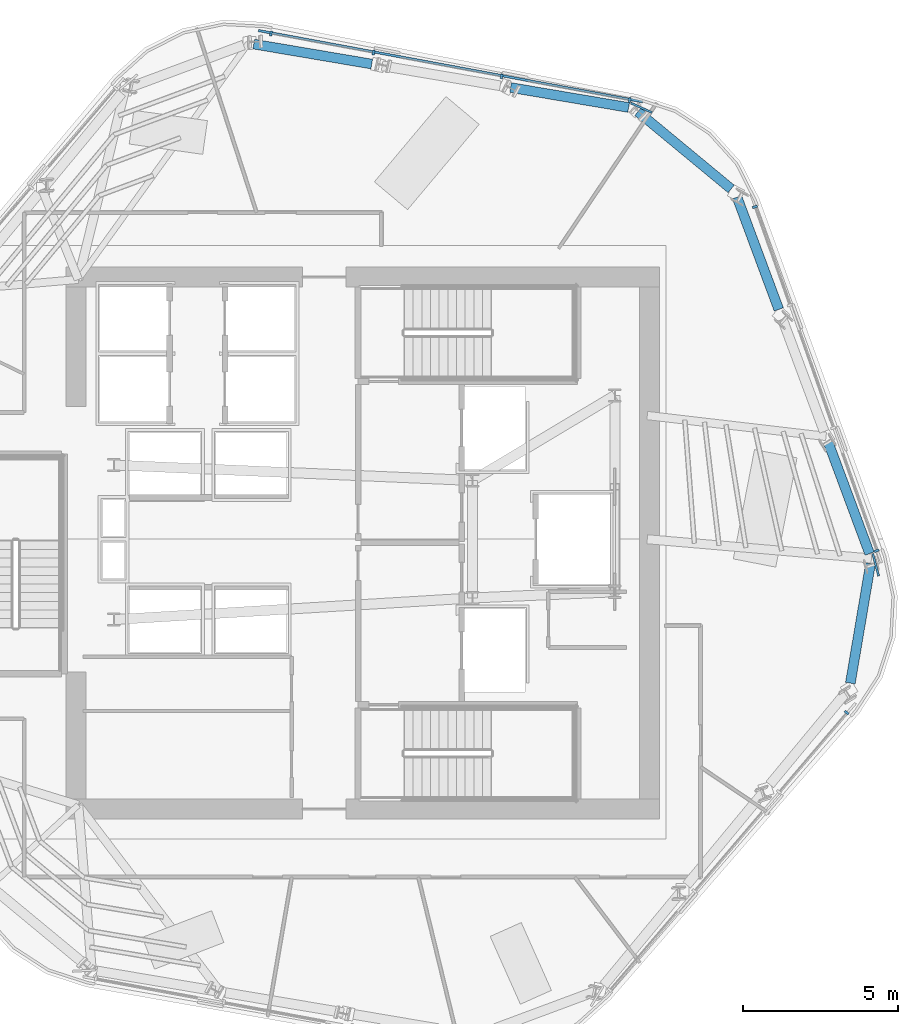
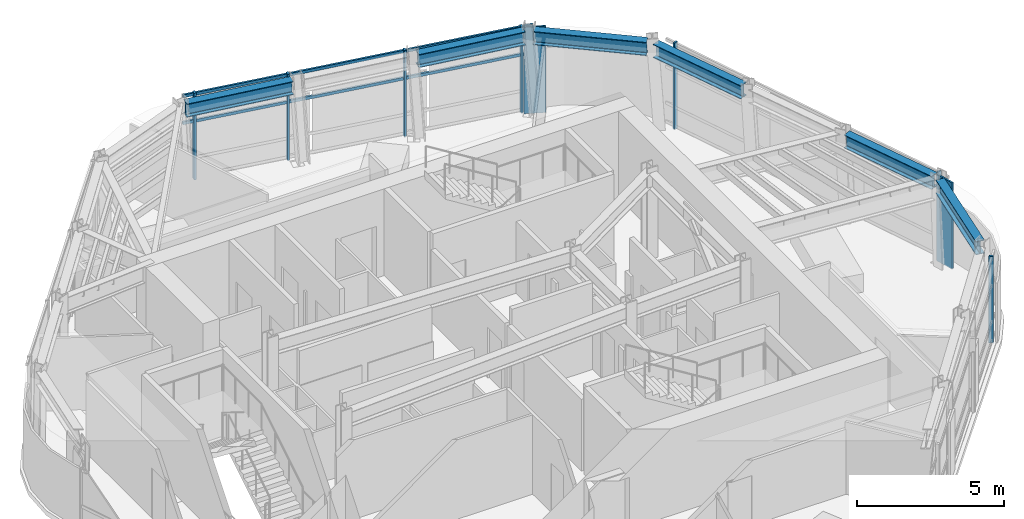
# One storey, part 4 of 12: 11 members, 6 beams, 3 elements without a shape of their own.
"""IFC4 building model written with IfcOpenShell, lengths in metres."""

import ifcopenshell
import ifcopenshell.guid

model = None  # the IFC model being written
_history = None  # IfcOwnerHistory: only IFC2X3 demands one
_inside = {}  # id of a spatial element -> (the spatial element, [elements in it])
_under = {}  # id of a project, library or spatial element -> (it, [spatial elements below it])
_declared = {}  # id of a project -> (the project, [libraries it declares])
_typed = {}  # id of a type object -> (the type object, [elements of that type])
_made_of = {}  # id of a material, layer set ... -> (it, [elements and type objects made of it])


def new_model(schema):
    """Start an empty IFC model of exactly this schema.

    Asked for "IFC4X3", IfcOpenShell would pick the latest addendum, in which some entities
    have other attributes; the version numbers below select the first issue.
    IFC2X3 requires an IfcOwnerHistory on every rooted entity: one is made here for all.
    """
    global model, _history
    if schema == "IFC4X3":
        model = ifcopenshell.file(schema_version=(4, 3, 0, 0))
    else:
        model = ifcopenshell.file(schema=schema)
    _inside.clear()
    _under.clear()
    _declared.clear()
    _typed.clear()
    _made_of.clear()
    _history = None
    if model.schema == "IFC2X3":
        org = make("IfcOrganization", Name="unknown")
        user = make(
            "IfcPersonAndOrganization",
            ThePerson=make("IfcPerson", FamilyName="unknown"),
            TheOrganization=org,
        )
        app = make(
            "IfcApplication",
            ApplicationDeveloper=org,
            Version="unknown",
            ApplicationFullName="unknown",
            ApplicationIdentifier="unknown",
        )
        _history = make(
            "IfcOwnerHistory",
            OwningUser=user,
            OwningApplication=app,
            ChangeAction="ADDED",
            CreationDate=0,
        )
    return model


def make(cls, **values):
    """One entity of the class cls with the attributes given. An attribute that is None is left unset."""
    return model.create_entity(
        cls, **{name: value for name, value in values.items() if value is not None}
    )


def rooted(cls, **values):
    """An entity with a GlobalId (a new one), such as an element, a storey or a relation."""
    return make(cls, GlobalId=ifcopenshell.guid.new(), OwnerHistory=_history, **values)


def si_unit(unit_type, name, prefix=None):
    """IfcSIUnit, for example si_unit("LENGTHUNIT", "METRE", prefix="MILLI")."""
    return make("IfcSIUnit", UnitType=unit_type, Prefix=prefix, Name=name)


def assignment(units):
    """IfcUnitAssignment: the units of a project."""
    return None if units is None else make("IfcUnitAssignment", Units=units)


def point(xyz):
    """IfcCartesianPoint."""
    return None if xyz is None else make("IfcCartesianPoint", Coordinates=xyz)


def direction(xyz):
    """IfcDirection."""
    return None if xyz is None else make("IfcDirection", DirectionRatios=xyz)


def frame(location, z_axis=None, x_axis=None):
    """IfcAxis2Placement3D, a coordinate frame: its origin and axes. An axis left out is left unset."""
    return make(
        "IfcAxis2Placement3D",
        Location=point(location),
        Axis=direction(z_axis),
        RefDirection=direction(x_axis),
    )


def frame_2d(location, x_axis=None):
    """IfcAxis2Placement2D, a coordinate frame in the plane: its origin and x axis."""
    return make(
        "IfcAxis2Placement2D", Location=point(location), RefDirection=direction(x_axis)
    )


def origin():
    """The frame at (0, 0, 0) with its axes left unset."""
    return frame((0.0, 0.0, 0.0))


def origin_2d():
    """The frame at (0, 0) in the plane with its x axis left unset."""
    return frame_2d((0.0, 0.0))


def place(relative_to, where):
    """IfcLocalPlacement: puts the frame where relative to a parent placement (None: the world)."""
    return make(
        "IfcLocalPlacement", PlacementRelTo=relative_to, RelativePlacement=where
    )


def context(
    kind, dimensions, precision=None, world=None, true_north=None, identifier=None
):
    """IfcGeometricRepresentationContext, for example the 3D "Model" context."""
    return make(
        "IfcGeometricRepresentationContext",
        ContextIdentifier=identifier,
        ContextType=kind,
        CoordinateSpaceDimension=dimensions,
        Precision=precision,
        WorldCoordinateSystem=world,
        TrueNorth=true_north,
    )


def subcontext(parent, identifier, kind, view, scale=None):
    """IfcGeometricRepresentationSubContext, for example "Body" below "Model"."""
    return make(
        "IfcGeometricRepresentationSubContext",
        ContextIdentifier=identifier,
        ContextType=kind,
        ParentContext=parent,
        TargetScale=scale,
        TargetView=view,
    )


def project(units=None, contexts=None):
    """IfcProject with its units and contexts."""
    return rooted(
        "IfcProject",
        Name="project",
        RepresentationContexts=contexts,
        UnitsInContext=assignment(units),
    )


def spatial(cls, under=None, at=None, **own):
    """A site, building, storey or space (cls), placed at a placement, below another one or the project."""
    s = rooted(cls, ObjectPlacement=at, **own)
    if under is not None:
        _under.setdefault(under.id(), (under, []))[1].append(s)
    return s


def profile(cls, at=None, kind="AREA", **sizes):
    """A parametric profile (cls). Its sizes go by their IFC names, for example OverallWidth=200.0."""
    return make(cls, ProfileType=kind, Position=at, **sizes)


def rectangle(**sizes):
    """IfcRectangleProfileDef."""
    return profile("IfcRectangleProfileDef", **sizes)


def i_section(**sizes):
    """IfcIShapeProfileDef."""
    return profile("IfcIShapeProfileDef", **sizes)


def extrude(swept, where, along, depth):
    """IfcExtrudedAreaSolid: the profile swept, set in the frame where, extruded along a direction by depth."""
    return make(
        "IfcExtrudedAreaSolid",
        SweptArea=swept,
        Position=where,
        ExtrudedDirection=direction(along),
        Depth=depth,
    )


def shape(context_of_items, identifier, shape_type, items):
    """IfcShapeRepresentation: the items that make up one representation, for example the "Body"."""
    return make(
        "IfcShapeRepresentation",
        ContextOfItems=context_of_items,
        RepresentationIdentifier=identifier,
        RepresentationType=shape_type,
        Items=items,
    )


def material(Name=None, Category=None):
    """IfcMaterial."""
    return make("IfcMaterial", Name=Name, Category=Category)


def layer(
    of_material, thickness, ventilated=None, Name=None, Category=None, Priority=None
):
    """IfcMaterialLayer: one layer of a wall or slab, of a material (None: an air gap)."""
    return make(
        "IfcMaterialLayer",
        Material=of_material,
        LayerThickness=thickness,
        IsVentilated=ventilated,
        Name=Name,
        Category=Category,
        Priority=Priority,
    )


def layer_set(layers, Name=None):
    """IfcMaterialLayerSet."""
    return make("IfcMaterialLayerSet", MaterialLayers=layers, LayerSetName=Name)


def material_profile(
    of_material, cross_section, Name=None, Category=None, Priority=None
):
    """IfcMaterialProfile: a cross section and its material."""
    return make(
        "IfcMaterialProfile",
        Name=Name,
        Material=of_material,
        Profile=cross_section,
        Priority=Priority,
        Category=Category,
    )


def profile_set(profiles, Name=None, composite=None):
    """IfcMaterialProfileSet."""
    return make(
        "IfcMaterialProfileSet",
        Name=Name,
        MaterialProfiles=profiles,
        CompositeProfile=composite,
    )


def made_of(thing, what):
    """Note that an element or type object is made of a material, layer set ...; save() writes the relation."""
    if what is not None:
        _made_of.setdefault(what.id(), (what, []))[1].append(thing)
    return thing


def type_object(cls, material=None, **own):
    """A type object (cls), such as IfcWallType, which elements share."""
    return made_of(rooted(cls, **own), material)


def element(
    cls,
    number,
    at=None,
    inside=None,
    cuts=None,
    type_object=None,
    material=None,
    context=None,
    identifier="Body",
    shape_type=None,
    held_by="IfcProductDefinitionShape",
    body=None,
    shapes=None,
    **own,
):
    """One element of the class cls, such as IfcWall. Its Tag is "e" and its number.

    at: its placement. inside: the storey or other place that contains it. cuts: it is an
    opening in that element (IfcRelVoidsElement). A single representation is given by context,
    identifier, shape_type and body (its items); several are given by shapes. held_by: the class
    of the entity that holds the representations. save() writes the other relations.
    """
    e = rooted(cls, Tag="e%d" % number, ObjectPlacement=at, **own)
    if body is not None:
        shapes = [shape(context, identifier, shape_type, body)]
    if shapes is not None:
        e.Representation = make(held_by, Representations=shapes)
    if inside is not None:
        _inside.setdefault(inside.id(), (inside, []))[1].append(e)
    if cuts is not None:
        rooted(
            "IfcRelVoidsElement", RelatingBuildingElement=cuts, RelatedOpeningElement=e
        )
    if type_object is not None:
        _typed.setdefault(type_object.id(), (type_object, []))[1].append(e)
    return made_of(e, material)


def aggregate(whole, parts):
    """IfcRelAggregates: a whole, such as a stair, and the parts it consists of."""
    return rooted("IfcRelAggregates", RelatingObject=whole, RelatedObjects=parts)


def save(model, path):
    """Write the relations noted so far, then the file.

    IfcRelAggregates (storeys below a building ...), IfcRelContainedInSpatialStructure (elements
    in a storey), IfcRelDefinesByType, IfcRelAssociatesMaterial and IfcRelDeclares: one each for
    every whole, place, type object, material and project.
    """
    for whole, parts in _under.values():
        aggregate(whole, parts)
    for where, things in _inside.values():
        rooted(
            "IfcRelContainedInSpatialStructure",
            RelatedElements=things,
            RelatingStructure=where,
        )
    for kind, things in _typed.values():
        rooted("IfcRelDefinesByType", RelatedObjects=things, RelatingType=kind)
    for what, things in _made_of.values():
        rooted("IfcRelAssociatesMaterial", RelatedObjects=things, RelatingMaterial=what)
    for by, libraries in _declared.values():
        rooted("IfcRelDeclares", RelatingContext=by, RelatedDefinitions=libraries)
    model.write(path)


model = new_model("IFC4")

# Units and contexts
model_context = context("Model", 3, precision=1e-05, world=origin(), true_north=direction((0.0, 1.0)))
body_context = subcontext(model_context, "Body", "Model", "MODEL_VIEW")
ifc_project = project(units=[si_unit("LENGTHUNIT", "METRE"), si_unit("AREAUNIT", "SQUARE_METRE"), si_unit("VOLUMEUNIT", "CUBIC_METRE"), si_unit("PLANEANGLEUNIT", "RADIAN"), si_unit("MASSUNIT", "GRAM", prefix="KILO")], contexts=[model_context])

# Site, building, storey
site_placement = place(None, origin())
site = spatial("IfcSite", under=ifc_project, at=site_placement, CompositionType="ELEMENT")
building_placement = place(site_placement, origin())
building = spatial("IfcBuilding", under=site, at=building_placement, Name="Valkerne Bourse Tower", CompositionType="ELEMENT")
storey_placement = place(building_placement, frame((0.0, 0.0, 236.0)))
storey = spatial("IfcBuildingStorey", under=building, at=storey_placement, Name="L60", CompositionType="ELEMENT", Elevation=236.0)

# Beams
ifc_material_1 = material(Name="Steel ASTM A992", Category="steel")
ifc_material_profile_1 = material_profile(ifc_material_1, i_section(OverallWidth=0.31494140625, OverallDepth=0.5537109375, WebThickness=0.0166015625, FlangeThickness=0.026123046875, FilletRadius=0.020263671875, at=origin_2d()), Name="W21X132")
ifc_profile_set_1 = profile_set([ifc_material_profile_1], Name="Steel ASTM A992")
beam_type = type_object("IfcBeamType", Name="BM-W21X132", PredefinedType="BEAM", material=ifc_profile_set_1)
beam_1_placement = place(storey_placement, frame((55.396484375, 40.960693359375, 3.322998046875), z_axis=(-0.985993969351, 0.166780971346, 0.0), x_axis=(-0.166780971346, -0.985993969351, 0.0)))
element("IfcBeam", 1, at=beam_1_placement, inside=storey, type_object=beam_type, Name="L60 Hexagonal Spandrel Ring Beam 00", PredefinedType="BEAM", context=body_context, shape_type="SweptSolid", body=[
    extrude(i_section(OverallWidth=0.31494140625, OverallDepth=0.5537109375, WebThickness=0.0166015625, FlangeThickness=0.026123046875, FilletRadius=0.020263671875, at=origin_2d()), origin(), (0.0, 0.0, 1.0), 3.871826171875),
])
beam_2_placement = place(storey_placement, frame((47.090576171875, 42.365478515625, 3.322998046875), z_axis=(-0.985995723124, 0.166770602869, 0.0), x_axis=(-0.166770602869, -0.985995723124, 0.0)))
element("IfcBeam", 2, at=beam_2_placement, inside=storey, type_object=beam_type, Name="L60 Hexagonal Spandrel Ring Beam 02", PredefinedType="BEAM", context=body_context, shape_type="SweptSolid", body=[
    extrude(i_section(OverallWidth=0.31494140625, OverallDepth=0.5537109375, WebThickness=0.0166015625, FlangeThickness=0.026123046875, FilletRadius=0.020263671875, at=origin_2d()), origin(), (0.0, 0.0, 1.0), 3.8720703125),
])
beam_3_placement = place(storey_placement, frame((62.56640625, 22.34765625, 3.322998046875), z_axis=(0.166784634532, 0.985993349716, 0.0), x_axis=(-0.985993349716, 0.166784634532, 0.0)))
element("IfcBeam", 3, at=beam_3_placement, inside=storey, type_object=beam_type, Name="L60 Hexagonal Spandrel Ring Beam 19", PredefinedType="BEAM", context=body_context, shape_type="SweptSolid", body=[
    extrude(i_section(OverallWidth=0.31494140625, OverallDepth=0.5537109375, WebThickness=0.0166015625, FlangeThickness=0.026123046875, FilletRadius=0.020263671875, at=origin_2d()), origin(), (0.0, 0.0, 1.0), 3.915771484375),
])
for number, where, z_axis, x_axis, name in (
    (4, (63.1884765625, 26.535400390625, 3.322998046875), (-0.348558534631, 0.937287014706, 0.0), (-0.937287014706, -0.348558534631, 0.0), "L60 Hexagonal Spandrel Ring Beam 20"),
    (5, (60.252197265625, 34.43115234375, 3.322998046875), (-0.348558534631, 0.937287014706, 0.0), (-0.937287014706, -0.348558534631, 0.0), "L60 Hexagonal Spandrel Ring Beam 22"),
):
    element("IfcBeam", number, at=place(storey_placement, frame(where, z_axis=z_axis, x_axis=x_axis)), inside=storey, type_object=beam_type, Name=name, PredefinedType="BEAM", context=body_context, shape_type="SweptSolid", body=[
        extrude(i_section(OverallWidth=0.31494140625, OverallDepth=0.5537109375, WebThickness=0.0166015625, FlangeThickness=0.026123046875, FilletRadius=0.020263671875, at=origin_2d()), origin(), (0.0, 0.0, 1.0), 3.8720703125),
    ])
beam_4_placement = place(storey_placement, frame((58.712158203125, 38.327880859375, 3.322998046875), z_axis=(-0.77047035121, 0.637475833194, 0.0), x_axis=(-0.637475833194, -0.77047035121, 0.0)))
element("IfcBeam", 6, at=beam_4_placement, inside=storey, type_object=beam_type, Name="L60 Hexagonal Spandrel Ring Beam 23", PredefinedType="BEAM", context=body_context, shape_type="SweptSolid", body=[
    extrude(i_section(OverallWidth=0.31494140625, OverallDepth=0.5537109375, WebThickness=0.0166015625, FlangeThickness=0.026123046875, FilletRadius=0.020263671875, at=origin_2d()), origin(), (0.0, 0.0, 1.0), 3.91552734375),
])

# Curtain wall, members
ifc_material_2 = material(Name="Aluminium AA 6063-T6", Category="aluminium")
ifc_layer = layer(ifc_material_2, 0.239990234375)
ifc_layer_set = layer_set([ifc_layer], Name="Aluminium AA 6063-T6")
curtain_wall_type = type_object("IfcCurtainWallType", Name="CW-04", PredefinedType="NOTDEFINED", material=ifc_layer_set)
curtain_wall_1_placement = place(storey_placement, origin())
curtain_wall_1 = element("IfcCurtainWall", 7, at=curtain_wall_1_placement, inside=storey, type_object=curtain_wall_type, Name="L60 Hexagonal Stick Curtain Wall Face 1", PredefinedType="NOTDEFINED")
ifc_material_profile_2 = material_profile(ifc_material_2, rectangle(XDim=0.074951171875, YDim=0.159912109375, at=origin_2d()), Name="CWM-75X160")
ifc_profile_set_2 = profile_set([ifc_material_profile_2], Name="Aluminium AA 6063-T6")
member_type_1 = type_object("IfcMemberType", Name="CW-MUL-160X75", PredefinedType="MULLION", material=ifc_profile_set_2)
member_1_placement = place(storey_placement, frame((55.430908203125, 41.20361328125, 0.0), z_axis=(0.0, 0.0, 1.0), x_axis=(-0.983254127122, 0.182239736328, 0.0)))
member_1 = element("IfcMember", 8, at=member_1_placement, type_object=member_type_1, Name="CW-L60-F1 Jamb Mullion 00A", PredefinedType="MULLION", context=body_context, shape_type="SweptSolid", body=[
    extrude(rectangle(XDim=0.074951171875, YDim=0.159912109375, at=origin_2d()), origin(), (0.0, 0.0, 1.0), 3.60009765625),
])
member_2_placement = place(storey_placement, frame((51.28955078125, 41.97119140625, 0.0), z_axis=(0.0, 0.0, 1.0), x_axis=(-0.983258381066, 0.182216783154, 0.0)))
member_2 = element("IfcMember", 9, at=member_2_placement, type_object=member_type_1, Name="CW-L60-F1 Jamb Mullion 01A", PredefinedType="MULLION", context=body_context, shape_type="SweptSolid", body=[
    extrude(rectangle(XDim=0.074951171875, YDim=0.159912109375, at=origin_2d()), origin(), (0.0, 0.0, 1.0), 3.60009765625),
])
member_3_placement = place(storey_placement, frame((47.14794921875, 42.73876953125, 0.0), z_axis=(0.0, 0.0, 1.0), x_axis=(-0.983254127122, 0.182239736328, 0.0)))
member_3 = element("IfcMember", 10, at=member_3_placement, type_object=member_type_1, Name="CW-L60-F1 Jamb Mullion 02A", PredefinedType="MULLION", context=body_context, shape_type="SweptSolid", body=[
    extrude(rectangle(XDim=0.074951171875, YDim=0.159912109375, at=origin_2d()), origin(), (0.0, 0.0, 1.0), 3.60009765625),
])
member_4_placement = place(storey_placement, frame((43.83251953125, 43.353515625, 0.0), z_axis=(0.0, 0.0, 1.0), x_axis=(-0.983254127122, 0.182239736328, 0.0)))
member_4 = element("IfcMember", 11, at=member_4_placement, type_object=member_type_1, Name="CW-L60-F1 Jamb Mullion 02B", PredefinedType="MULLION", context=body_context, shape_type="SweptSolid", body=[
    extrude(rectangle(XDim=0.074951171875, YDim=0.159912109375, at=origin_2d()), origin(), (0.0, 0.0, 1.0), 3.60009765625),
])

# Curtain wall, member
curtain_wall_2_placement = place(storey_placement, origin())
curtain_wall_2 = element("IfcCurtainWall", 12, at=curtain_wall_2_placement, inside=storey, type_object=curtain_wall_type, Name="L60 Hexagonal Stick Curtain Wall Face 5", PredefinedType="NOTDEFINED")
member_5_placement = place(storey_placement, frame((62.4462890625, 21.393310546875, 0.0), z_axis=(0.0, 0.0, 1.0), x_axis=(0.649441236502, 0.760411783398, 0.0)))
member_5 = element("IfcMember", 13, at=member_5_placement, type_object=member_type_1, Name="CW-L60-F5 Jamb Mullion 02B", PredefinedType="MULLION", context=body_context, shape_type="SweptSolid", body=[
    extrude(rectangle(XDim=0.074951171875, YDim=0.159912109375, at=origin_2d()), origin(), (0.0, 0.0, 1.0), 3.60009765625),
])
aggregate(curtain_wall_2, [member_5])

# Curtain wall, members
curtain_wall_3_placement = place(storey_placement, origin())
curtain_wall_3 = element("IfcCurtainWall", 14, at=curtain_wall_3_placement, inside=storey, type_object=curtain_wall_type, Name="L60 Hexagonal Stick Curtain Wall Face 6", PredefinedType="NOTDEFINED")
member_6_placement = place(storey_placement, frame((63.416259765625, 26.627197265625, 0.0), z_axis=(0.0, 0.0, 1.0), x_axis=(-0.333808466695, 0.942640921859, 0.0)))
member_6 = element("IfcMember", 15, at=member_6_placement, type_object=member_type_1, Name="CW-L60-F6 Jamb Mullion 00A", PredefinedType="MULLION", context=body_context, shape_type="SweptSolid", body=[
    extrude(rectangle(XDim=0.074951171875, YDim=0.159912109375, at=origin_2d()), origin(), (0.0, 0.0, 1.0), 3.60009765625),
])
member_7_placement = place(storey_placement, frame((59.478759765625, 37.74658203125, 0.0), z_axis=(0.0, 0.0, 1.0), x_axis=(-0.33380099624, 0.942643567267, 0.0)))
member_7 = element("IfcMember", 16, at=member_7_placement, type_object=member_type_1, Name="CW-L60-F6 Jamb Mullion 02B", PredefinedType="MULLION", context=body_context, shape_type="SweptSolid", body=[
    extrude(rectangle(XDim=0.074951171875, YDim=0.159912109375, at=origin_2d()), origin(), (0.0, 0.0, 1.0), 3.60009765625),
])
aggregate(curtain_wall_3, [member_6, member_7])

# Member
ifc_material_profile_3 = material_profile(ifc_material_2, rectangle(XDim=0.074951171875, YDim=0.1201171875, at=origin_2d()), Name="CWT-75X120")
ifc_profile_set_3 = profile_set([ifc_material_profile_3], Name="Aluminium AA 6063-T6")
member_type_2 = type_object("IfcMemberType", Name="CW-TRN-120X75", PredefinedType="USERDEFINED", material=ifc_profile_set_3)
member_8_placement = place(storey_placement, frame((55.84765625, 41.14697265625, 2.39990234375), z_axis=(-0.983255216841, 0.182233856777, 0.0), x_axis=(-0.182233856777, -0.983255216841, 0.0)))
member_8 = element("IfcMember", 17, at=member_8_placement, type_object=member_type_2, Name="CW-L60-F1 Continuous Face Transom 3", ObjectType="TRANSOM", PredefinedType="USERDEFINED", context=body_context, shape_type="SweptSolid", body=[
    extrude(rectangle(XDim=0.074951171875, YDim=0.1201171875, at=origin_2d()), origin(), (0.0, 0.0, 1.0), 12.63623046875),
])

member_9_placement = place(storey_placement, frame((55.84765625, 41.14697265625, 3.52001953125), z_axis=(-0.983255216841, 0.182233856777, 0.0), x_axis=(-0.182233856777, -0.983255216841, 0.0)))
member_9 = element("IfcMember", 18, at=member_9_placement, type_object=member_type_2, Name="CW-L60-F1 Continuous Face Transom 4", ObjectType="TRANSOM", PredefinedType="USERDEFINED", context=body_context, shape_type="SweptSolid", body=[
    extrude(rectangle(XDim=0.074951171875, YDim=0.1201171875, at=origin_2d()), origin(), (0.0, 0.0, 1.0), 12.63623046875),
])

aggregate(curtain_wall_1, [member_8, member_9, member_1, member_2, member_3, member_4])

# Members
ifc_material_3 = material(Name="Bronze Anodised Aluminium AA 6063-T6", Category="aluminium")
ifc_material_profile_4 = material_profile(ifc_material_3, rectangle(XDim=0.06494140625, YDim=0.75, at=origin_2d()), Name="FIN-65X750")
ifc_profile_set_4 = profile_set([ifc_material_profile_4], Name="Bronze Anodised Aluminium AA 6063-T6")
member_type_3 = type_object("IfcMemberType", Name="FIN-SOLAR-650", PredefinedType="USERDEFINED", material=ifc_profile_set_4)
for number, where, z_axis, x_axis, name in (
    (19, (55.811279296875, 40.9501953125, 0.00390625), (0.0, 0.0, 1.0), (0.410970316475, 0.911648725649, 0.0), "L60 Bronze Anodised Solar Fin F1-00"),
    (20, (63.38671875, 26.171142578125, 0.00390625), (0.0, 0.0, 1.0), (0.966703891568, 0.255897608483, 0.0), "L60 Bronze Anodised Solar Fin F6-00"),
):
    element("IfcMember", number, at=place(storey_placement, frame(where, z_axis=z_axis, x_axis=x_axis)), inside=storey, type_object=member_type_3, Name=name, ObjectType="SOLAR_FIN", PredefinedType="USERDEFINED", context=body_context, shape_type="SweptSolid", body=[
        extrude(rectangle(XDim=0.06494140625, YDim=0.75, at=origin_2d()), origin(), (0.0, 0.0, 1.0), 3.592041015625),
    ])

save(model, "model.ifc")
